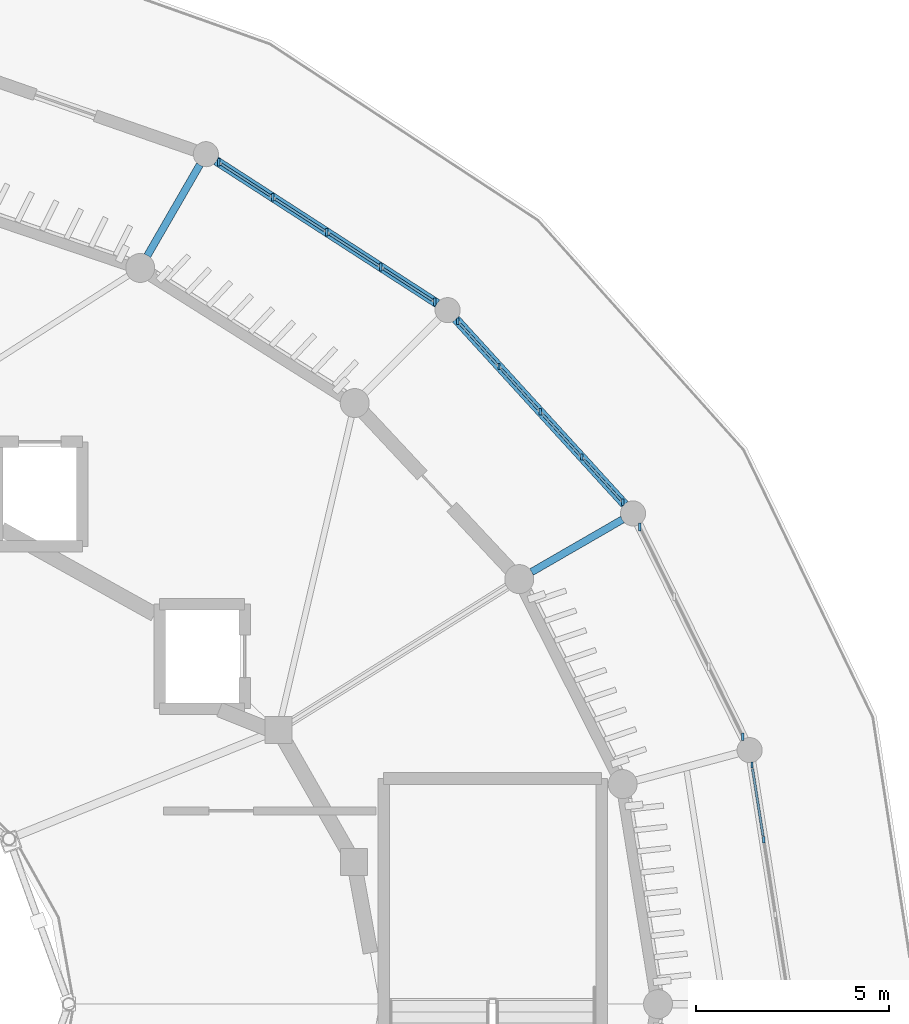
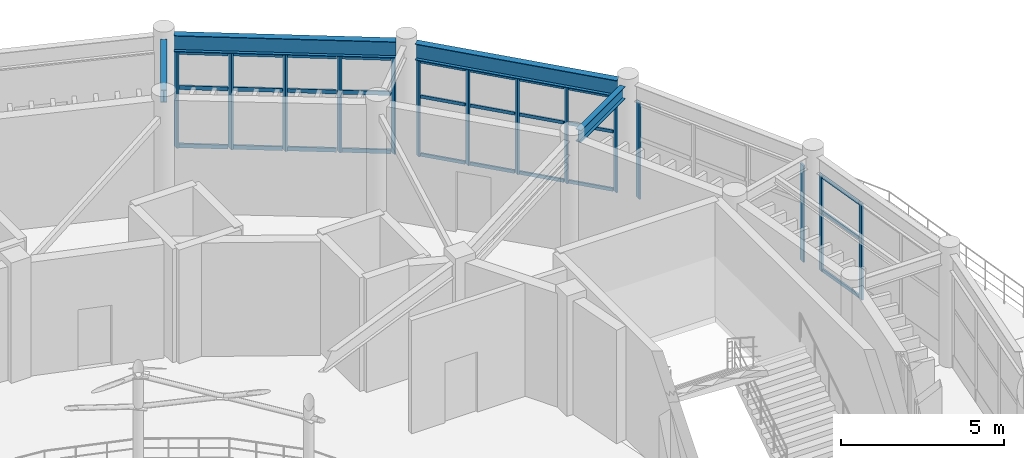
# One storey, part 17 of 45: 41 members, 4 beams, 4 elements without a shape of their own.
"""IFC4 building model written with IfcOpenShell, lengths in metres."""

from ifc_helpers import new_model, si_unit, direction, frame, origin, origin_2d, place, context, subcontext, project, spatial, rectangle, i_section, extrude, material, material_profile, profile_set, type_object, element, aggregate, save


model = new_model("IFC4")

# Units and contexts
model_context = context("Model", 3, precision=1e-05, world=origin(), true_north=direction((0.0, 1.0)))
body_context = subcontext(model_context, "Body", "Model", "MODEL_VIEW")
ifc_project = project(units=[si_unit("LENGTHUNIT", "METRE"), si_unit("AREAUNIT", "SQUARE_METRE"), si_unit("VOLUMEUNIT", "CUBIC_METRE"), si_unit("PLANEANGLEUNIT", "RADIAN"), si_unit("MASSUNIT", "GRAM", prefix="KILO")], contexts=[model_context])

# Site, building, storey
site_placement = place(None, origin())
site = spatial("IfcSite", under=ifc_project, at=site_placement, CompositionType="ELEMENT")
building_placement = place(site_placement, origin())
building = spatial("IfcBuilding", under=site, at=building_placement, Name="Cinderbank Siding Concert Hall", CompositionType="ELEMENT")
storey_placement = place(building_placement, frame((0.0, 0.0, 19.199951171875)))
storey = spatial("IfcBuildingStorey", under=building, at=storey_placement, Name="L05", CompositionType="ELEMENT", Elevation=19.199951171875)

# Beams
ifc_material_1 = material(Name="Structural steel AS/NZS 3679.1 Grade 350 (340 MPa)", Category="steel")
ifc_material_profile_1 = material_profile(ifc_material_1, i_section(OverallWidth=0.19091796875, OverallDepth=0.46044921875, WebThickness=0.010009765625, FlangeThickness=0.01611328125, at=origin_2d()), Name="460UB82.1", Category="LoadBearing")
ifc_profile_set_1 = profile_set([ifc_material_profile_1], Name="Structural steel AS/NZS 3679.1 Grade 350 (340 MPa)")
beam_type_1 = type_object("IfcBeamType", Name="BM-UB460H 460UB82.1", PredefinedType="BEAM", material=ifc_profile_set_1)
for number, where, z_axis, x_axis, name in (
    (1, (145.52734375, 55.18359375, 4.001953125), (0.866032896488, 0.499987022033, 0.0), (-0.499987022033, 0.866032896488, 0.0), "L05 Beam BM-UB460H #797"),
    (2, (135.58349609375, 63.370361328125, 4.001953125), (0.499987022033, 0.866032896488, 0.0), (-0.866032896488, 0.499987022033, 0.0), "L05 Beam BM-UB460H #799"),
):
    element("IfcBeam", number, at=place(storey_placement, frame(where, z_axis=z_axis, x_axis=x_axis)), inside=storey, type_object=beam_type_1, Name=name, PredefinedType="BEAM", context=body_context, shape_type="SweptSolid", body=[
        extrude(i_section(OverallWidth=0.19091796875, OverallDepth=0.46044921875, WebThickness=0.010009765625, FlangeThickness=0.01611328125, at=origin_2d()), origin(), (0.0, 0.0, 1.0), 2.7158203125),
    ])
ifc_material_profile_2 = material_profile(ifc_material_1, i_section(OverallWidth=0.22802734375, OverallDepth=0.60693359375, WebThickness=0.01123046875, FlangeThickness=0.017333984375, at=origin_2d()), Name="610UB113", Category="LoadBearing")
ifc_profile_set_2 = profile_set([ifc_material_profile_2], Name="Structural steel AS/NZS 3679.1 Grade 350 (340 MPa)")
beam_type_2 = type_object("IfcBeamType", Name="BM-UB610M 610UB113", PredefinedType="BEAM", material=ifc_profile_set_2)
beam_1_placement = place(storey_placement, frame((147.940185546875, 56.93408203125, 3.928466796875), z_axis=(-0.67395874418, 0.73876898361, 0.0), x_axis=(-0.73876898361, -0.67395874418, 0.0)))
element("IfcBeam", 3, at=beam_1_placement, inside=storey, type_object=beam_type_2, Name="L05 Beam BM-UB610M #761", PredefinedType="BEAM", context=body_context, shape_type="SweptSolid", body=[
    extrude(i_section(OverallWidth=0.22802734375, OverallDepth=0.60693359375, WebThickness=0.01123046875, FlangeThickness=0.017333984375, at=origin_2d()), origin(), (0.0, 0.0, 1.0), 6.48681640625),
])
beam_2_placement = place(storey_placement, frame((143.08837890625, 62.13232421875, 3.928466796875), z_axis=(-0.840219727246, 0.542246078775, 0.0), x_axis=(-0.542246078775, -0.840219727246, 0.0)))
element("IfcBeam", 4, at=beam_2_placement, inside=storey, type_object=beam_type_2, Name="L05 Beam BM-UB610M #762", PredefinedType="BEAM", context=body_context, shape_type="SweptSolid", body=[
    extrude(i_section(OverallWidth=0.22802734375, OverallDepth=0.60693359375, WebThickness=0.01123046875, FlangeThickness=0.017333984375, at=origin_2d()), origin(), (0.0, 0.0, 1.0), 6.810302734375),
])

# Curtain wall, members
ifc_material_2 = material(Name="Anodised aluminium alloy 6063-T6", Category="aluminium")
curtain_wall_type_1 = type_object("IfcCurtainWallType", Name="CW-09 Unitised Acoustic Curtain Wall 8000x3500", PredefinedType="NOTDEFINED", material=ifc_material_2)
curtain_wall_1_placement = place(storey_placement, origin())
curtain_wall_1 = element("IfcCurtainWall", 5, at=curtain_wall_1_placement, inside=storey, type_object=curtain_wall_type_1, Name="L05 Curtain Wall CW-09 #72", PredefinedType="NOTDEFINED")
ifc_material_profile_3 = material_profile(ifc_material_2, rectangle(XDim=0.06005859375, YDim=0.159912109375, at=origin_2d()), Name="ALU-MULL-60x160", Category="LoadBearing")
ifc_profile_set_3 = profile_set([ifc_material_profile_3], Name="Anodised aluminium alloy 6063-T6")
member_type_1 = type_object("IfcMemberType", Name="CW-ML1 Mullion 60x160", PredefinedType="MULLION", material=ifc_profile_set_3)
member_1_placement = place(storey_placement, frame((151.5341796875, 48.254150390625, 0.0), z_axis=(0.0, 0.0, 1.0), x_axis=(1.0, 0.0, 0.0)))
member_1 = element("IfcMember", 6, at=member_1_placement, type_object=member_type_1, Name="CW-L05-072 Mullion 2", PredefinedType="MULLION", context=body_context, shape_type="SweptSolid", body=[
    extrude(rectangle(XDim=0.06005859375, YDim=0.159912109375, at=origin_2d()), origin(), (0.0, 0.0, 1.0), 3.610107421875),
])
member_2_placement = place(storey_placement, frame((151.231201171875, 50.188720703125, 0.0), z_axis=(0.0, 0.0, 1.0), x_axis=(1.0, 0.0, 0.0)))
member_2 = element("IfcMember", 7, at=member_2_placement, type_object=member_type_1, Name="CW-L05-072 Mullion 3", PredefinedType="MULLION", context=body_context, shape_type="SweptSolid", body=[
    extrude(rectangle(XDim=0.06005859375, YDim=0.159912109375, at=origin_2d()), origin(), (0.0, 0.0, 1.0), 3.610107421875),
])

curtain_wall_type_2 = type_object("IfcCurtainWallType", Name="CW-11 Unitised Acoustic Curtain Wall 6600x3500", PredefinedType="NOTDEFINED", material=ifc_material_2)
curtain_wall_2_placement = place(storey_placement, origin())
curtain_wall_2 = element("IfcCurtainWall", 8, at=curtain_wall_2_placement, inside=storey, type_object=curtain_wall_type_2, Name="L05 Curtain Wall CW-11 #74", PredefinedType="NOTDEFINED")
member_3_placement = place(storey_placement, frame((147.89111328125, 56.988037109375, 0.0), z_axis=(0.0, 0.0, 1.0), x_axis=(1.0, 0.0, 0.0)))
member_3 = element("IfcMember", 9, at=member_3_placement, type_object=member_type_1, Name="CW-L05-074 Mullion 0", PredefinedType="MULLION", context=body_context, shape_type="SweptSolid", body=[
    extrude(rectangle(XDim=0.06005859375, YDim=0.159912109375, at=origin_2d()), origin(), (0.0, 0.0, 1.0), 3.610107421875),
])
member_4_placement = place(storey_placement, frame((146.82275390625, 58.1591796875, 0.0), z_axis=(0.0, 0.0, 1.0), x_axis=(1.0, 0.0, 0.0)))
member_4 = element("IfcMember", 10, at=member_4_placement, type_object=member_type_1, Name="CW-L05-074 Mullion 1", PredefinedType="MULLION", context=body_context, shape_type="SweptSolid", body=[
    extrude(rectangle(XDim=0.06005859375, YDim=0.159912109375, at=origin_2d()), origin(), (0.0, 0.0, 1.0), 3.610107421875),
])
member_5_placement = place(storey_placement, frame((145.75439453125, 59.330322265625, 0.0), z_axis=(0.0, 0.0, 1.0), x_axis=(1.0, 0.0, 0.0)))
member_5 = element("IfcMember", 11, at=member_5_placement, type_object=member_type_1, Name="CW-L05-074 Mullion 2", PredefinedType="MULLION", context=body_context, shape_type="SweptSolid", body=[
    extrude(rectangle(XDim=0.06005859375, YDim=0.159912109375, at=origin_2d()), origin(), (0.0, 0.0, 1.0), 3.610107421875),
])
member_6_placement = place(storey_placement, frame((144.685791015625, 60.501220703125, 0.0), z_axis=(0.0, 0.0, 1.0), x_axis=(1.0, 0.0, 0.0)))
member_6 = element("IfcMember", 12, at=member_6_placement, type_object=member_type_1, Name="CW-L05-074 Mullion 3", PredefinedType="MULLION", context=body_context, shape_type="SweptSolid", body=[
    extrude(rectangle(XDim=0.06005859375, YDim=0.159912109375, at=origin_2d()), origin(), (0.0, 0.0, 1.0), 3.610107421875),
])
member_7_placement = place(storey_placement, frame((143.617431640625, 61.67236328125, 0.0), z_axis=(0.0, 0.0, 1.0), x_axis=(1.0, 0.0, 0.0)))
member_7 = element("IfcMember", 13, at=member_7_placement, type_object=member_type_1, Name="CW-L05-074 Mullion 4", PredefinedType="MULLION", context=body_context, shape_type="SweptSolid", body=[
    extrude(rectangle(XDim=0.06005859375, YDim=0.159912109375, at=origin_2d()), origin(), (0.0, 0.0, 1.0), 3.610107421875),
])

curtain_wall_type_3 = type_object("IfcCurtainWallType", Name="CW-10 Unitised Acoustic Curtain Wall 7200x3500", PredefinedType="NOTDEFINED", material=ifc_material_2)
curtain_wall_3_placement = place(storey_placement, origin())
curtain_wall_3 = element("IfcCurtainWall", 14, at=curtain_wall_3_placement, inside=storey, type_object=curtain_wall_type_3, Name="L05 Curtain Wall CW-10 #73", PredefinedType="NOTDEFINED")
ifc_material_profile_4 = material_profile(ifc_material_2, rectangle(XDim=0.06494140625, YDim=0.199951171875, at=origin_2d()), Name="ALU-MULL-65x200", Category="LoadBearing")
ifc_profile_set_4 = profile_set([ifc_material_profile_4], Name="Anodised aluminium alloy 6063-T6")
member_type_2 = type_object("IfcMemberType", Name="CW-ML2 Mullion 65x200", PredefinedType="MULLION", material=ifc_profile_set_4)
member_8_placement = place(storey_placement, frame((150.998779296875, 50.923828125, 0.0), z_axis=(0.0, 0.0, 1.0), x_axis=(1.0, 0.0, 0.0)))
member_8 = element("IfcMember", 15, at=member_8_placement, type_object=member_type_2, Name="CW-L05-073 Mullion 0", PredefinedType="MULLION", context=body_context, shape_type="SweptSolid", body=[
    extrude(rectangle(XDim=0.06494140625, YDim=0.199951171875, at=origin_2d()), origin(), (0.0, 0.0, 1.0), 3.610107421875),
])
member_9_placement = place(storey_placement, frame((148.326416015625, 56.35009765625, 0.0), z_axis=(0.0, 0.0, 1.0), x_axis=(1.0, 0.0, 0.0)))
member_9 = element("IfcMember", 16, at=member_9_placement, type_object=member_type_2, Name="CW-L05-073 Mullion 3", PredefinedType="MULLION", context=body_context, shape_type="SweptSolid", body=[
    extrude(rectangle(XDim=0.06494140625, YDim=0.199951171875, at=origin_2d()), origin(), (0.0, 0.0, 1.0), 3.610107421875),
])
aggregate(curtain_wall_3, [member_8, member_9])

curtain_wall_type_4 = type_object("IfcCurtainWallType", Name="CW-12 Unitised Acoustic Curtain Wall 5800x3500", PredefinedType="NOTDEFINED", material=ifc_material_2)
curtain_wall_4_placement = place(storey_placement, origin())
curtain_wall_4 = element("IfcCurtainWall", 17, at=curtain_wall_4_placement, inside=storey, type_object=curtain_wall_type_4, Name="L05 Curtain Wall CW-12 #75", PredefinedType="NOTDEFINED")
member_10_placement = place(storey_placement, frame((143.02685546875, 62.172119140625, 0.0), z_axis=(0.0, 0.0, 1.0), x_axis=(1.0, 0.0, 0.0)))
member_10 = element("IfcMember", 18, at=member_10_placement, type_object=member_type_2, Name="CW-L05-075 Mullion 0", PredefinedType="MULLION", context=body_context, shape_type="SweptSolid", body=[
    extrude(rectangle(XDim=0.06494140625, YDim=0.199951171875, at=origin_2d()), origin(), (0.0, 0.0, 1.0), 3.610107421875),
])
member_11_placement = place(storey_placement, frame((141.627197265625, 63.075439453125, 0.0), z_axis=(0.0, 0.0, 1.0), x_axis=(1.0, 0.0, 0.0)))
member_11 = element("IfcMember", 19, at=member_11_placement, type_object=member_type_2, Name="CW-L05-075 Mullion 1", PredefinedType="MULLION", context=body_context, shape_type="SweptSolid", body=[
    extrude(rectangle(XDim=0.06494140625, YDim=0.199951171875, at=origin_2d()), origin(), (0.0, 0.0, 1.0), 3.610107421875),
])
member_12_placement = place(storey_placement, frame((140.227294921875, 63.978759765625, 0.0), z_axis=(0.0, 0.0, 1.0), x_axis=(1.0, 0.0, 0.0)))
member_12 = element("IfcMember", 20, at=member_12_placement, type_object=member_type_2, Name="CW-L05-075 Mullion 2", PredefinedType="MULLION", context=body_context, shape_type="SweptSolid", body=[
    extrude(rectangle(XDim=0.06494140625, YDim=0.199951171875, at=origin_2d()), origin(), (0.0, 0.0, 1.0), 3.610107421875),
])
member_13_placement = place(storey_placement, frame((138.827392578125, 64.882080078125, 0.0), z_axis=(0.0, 0.0, 1.0), x_axis=(1.0, 0.0, 0.0)))
member_13 = element("IfcMember", 21, at=member_13_placement, type_object=member_type_2, Name="CW-L05-075 Mullion 3", PredefinedType="MULLION", context=body_context, shape_type="SweptSolid", body=[
    extrude(rectangle(XDim=0.06494140625, YDim=0.199951171875, at=origin_2d()), origin(), (0.0, 0.0, 1.0), 3.610107421875),
])
member_14_placement = place(storey_placement, frame((137.427734375, 65.785400390625, 0.0), z_axis=(0.0, 0.0, 1.0), x_axis=(1.0, 0.0, 0.0)))
member_14 = element("IfcMember", 22, at=member_14_placement, type_object=member_type_2, Name="CW-L05-075 Mullion 4", PredefinedType="MULLION", context=body_context, shape_type="SweptSolid", body=[
    extrude(rectangle(XDim=0.06494140625, YDim=0.199951171875, at=origin_2d()), origin(), (0.0, 0.0, 1.0), 3.610107421875),
])

# Member
ifc_material_profile_5 = material_profile(ifc_material_2, rectangle(XDim=0.06005859375, YDim=0.1201171875, at=origin_2d()), Name="ALU-TRAN-60x120", Category="LoadBearing")
ifc_profile_set_5 = profile_set([ifc_material_profile_5], Name="Anodised aluminium alloy 6063-T6")
member_type_3 = type_object("IfcMemberType", Name="CW-TR1 Transom 60x120", PredefinedType="USERDEFINED", material=ifc_profile_set_5)
member_15_placement = place(storey_placement, frame((151.51904296875, 48.35107421875, 0.06005859375), z_axis=(-0.154617780003, 0.987974363082, 0.0), x_axis=(-0.987974363082, -0.154617780003, 0.0)))
member_15 = element("IfcMember", 23, at=member_15_placement, type_object=member_type_3, Name="CW-L05-072 Transom 2-0", ObjectType="TRANSOM", PredefinedType="USERDEFINED", context=body_context, shape_type="SweptSolid", body=[
    extrude(rectangle(XDim=0.06005859375, YDim=0.1201171875, at=origin_2d()), origin(), (0.0, 0.0, 1.0), 1.76220703125),
])

member_16_placement = place(storey_placement, frame((151.51904296875, 48.35107421875, 2.23828125), z_axis=(-0.154617780003, 0.987974363082, 0.0), x_axis=(-0.987974363082, -0.154617780003, 0.0)))
member_16 = element("IfcMember", 24, at=member_16_placement, type_object=member_type_3, Name="CW-L05-072 Transom 2-1", ObjectType="TRANSOM", PredefinedType="USERDEFINED", context=body_context, shape_type="SweptSolid", body=[
    extrude(rectangle(XDim=0.06005859375, YDim=0.1201171875, at=origin_2d()), origin(), (0.0, 0.0, 1.0), 1.76220703125),
])

member_17_placement = place(storey_placement, frame((151.51904296875, 48.35107421875, 3.550048828125), z_axis=(-0.154617780003, 0.987974363082, 0.0), x_axis=(-0.987974363082, -0.154617780003, 0.0)))
member_17 = element("IfcMember", 25, at=member_17_placement, type_object=member_type_3, Name="CW-L05-072 Transom 2-2", ObjectType="TRANSOM", PredefinedType="USERDEFINED", context=body_context, shape_type="SweptSolid", body=[
    extrude(rectangle(XDim=0.06005859375, YDim=0.1201171875, at=origin_2d()), origin(), (0.0, 0.0, 1.0), 1.76220703125),
])

aggregate(curtain_wall_1, [member_1, member_2, member_15, member_16, member_17])

member_18_placement = place(storey_placement, frame((147.837646484375, 57.046630859375, 0.06005859375), z_axis=(-0.67393249173, 0.738792932147, 0.0), x_axis=(-0.738792932147, -0.67393249173, 0.0)))
member_18 = element("IfcMember", 26, at=member_18_placement, type_object=member_type_3, Name="CW-L05-074 Transom 0-0", ObjectType="TRANSOM", PredefinedType="USERDEFINED", context=body_context, shape_type="SweptSolid", body=[
    extrude(rectangle(XDim=0.06005859375, YDim=0.1201171875, at=origin_2d()), origin(), (0.0, 0.0, 1.0), 1.426513671875),
])

member_19_placement = place(storey_placement, frame((147.837646484375, 57.046630859375, 2.23828125), z_axis=(-0.67393249173, 0.738792932147, 0.0), x_axis=(-0.738792932147, -0.67393249173, 0.0)))
member_19 = element("IfcMember", 27, at=member_19_placement, type_object=member_type_3, Name="CW-L05-074 Transom 0-1", ObjectType="TRANSOM", PredefinedType="USERDEFINED", context=body_context, shape_type="SweptSolid", body=[
    extrude(rectangle(XDim=0.06005859375, YDim=0.1201171875, at=origin_2d()), origin(), (0.0, 0.0, 1.0), 1.426513671875),
])

member_20_placement = place(storey_placement, frame((147.837646484375, 57.046630859375, 3.550048828125), z_axis=(-0.67393249173, 0.738792932147, 0.0), x_axis=(-0.738792932147, -0.67393249173, 0.0)))
member_20 = element("IfcMember", 28, at=member_20_placement, type_object=member_type_3, Name="CW-L05-074 Transom 0-2", ObjectType="TRANSOM", PredefinedType="USERDEFINED", context=body_context, shape_type="SweptSolid", body=[
    extrude(rectangle(XDim=0.06005859375, YDim=0.1201171875, at=origin_2d()), origin(), (0.0, 0.0, 1.0), 1.426513671875),
])

member_21_placement = place(storey_placement, frame((146.769287109375, 58.2177734375, 0.06005859375), z_axis=(-0.674025884018, 0.738707728181, 0.0), x_axis=(-0.738707728181, -0.674025884018, 0.0)))
member_21 = element("IfcMember", 29, at=member_21_placement, type_object=member_type_3, Name="CW-L05-074 Transom 1-0", ObjectType="TRANSOM", PredefinedType="USERDEFINED", context=body_context, shape_type="SweptSolid", body=[
    extrude(rectangle(XDim=0.06005859375, YDim=0.1201171875, at=origin_2d()), origin(), (0.0, 0.0, 1.0), 1.4267578125),
])

member_22_placement = place(storey_placement, frame((146.769287109375, 58.2177734375, 2.23828125), z_axis=(-0.674025884018, 0.738707728181, 0.0), x_axis=(-0.738707728181, -0.674025884018, 0.0)))
member_22 = element("IfcMember", 30, at=member_22_placement, type_object=member_type_3, Name="CW-L05-074 Transom 1-1", ObjectType="TRANSOM", PredefinedType="USERDEFINED", context=body_context, shape_type="SweptSolid", body=[
    extrude(rectangle(XDim=0.06005859375, YDim=0.1201171875, at=origin_2d()), origin(), (0.0, 0.0, 1.0), 1.4267578125),
])

member_23_placement = place(storey_placement, frame((146.769287109375, 58.2177734375, 3.550048828125), z_axis=(-0.674025884018, 0.738707728181, 0.0), x_axis=(-0.738707728181, -0.674025884018, 0.0)))
member_23 = element("IfcMember", 31, at=member_23_placement, type_object=member_type_3, Name="CW-L05-074 Transom 1-2", ObjectType="TRANSOM", PredefinedType="USERDEFINED", context=body_context, shape_type="SweptSolid", body=[
    extrude(rectangle(XDim=0.06005859375, YDim=0.1201171875, at=origin_2d()), origin(), (0.0, 0.0, 1.0), 1.4267578125),
])

member_24_placement = place(storey_placement, frame((145.700927734375, 59.388916015625, 0.06005859375), z_axis=(-0.674025884018, 0.738707728181, 0.0), x_axis=(-0.738707728181, -0.674025884018, 0.0)))
member_24 = element("IfcMember", 32, at=member_24_placement, type_object=member_type_3, Name="CW-L05-074 Transom 2-0", ObjectType="TRANSOM", PredefinedType="USERDEFINED", context=body_context, shape_type="SweptSolid", body=[
    extrude(rectangle(XDim=0.06005859375, YDim=0.1201171875, at=origin_2d()), origin(), (0.0, 0.0, 1.0), 1.4267578125),
])

member_25_placement = place(storey_placement, frame((145.700927734375, 59.388916015625, 2.23828125), z_axis=(-0.674025884018, 0.738707728181, 0.0), x_axis=(-0.738707728181, -0.674025884018, 0.0)))
member_25 = element("IfcMember", 33, at=member_25_placement, type_object=member_type_3, Name="CW-L05-074 Transom 2-1", ObjectType="TRANSOM", PredefinedType="USERDEFINED", context=body_context, shape_type="SweptSolid", body=[
    extrude(rectangle(XDim=0.06005859375, YDim=0.1201171875, at=origin_2d()), origin(), (0.0, 0.0, 1.0), 1.4267578125),
])

member_26_placement = place(storey_placement, frame((145.700927734375, 59.388916015625, 3.550048828125), z_axis=(-0.674025884018, 0.738707728181, 0.0), x_axis=(-0.738707728181, -0.674025884018, 0.0)))
member_26 = element("IfcMember", 34, at=member_26_placement, type_object=member_type_3, Name="CW-L05-074 Transom 2-2", ObjectType="TRANSOM", PredefinedType="USERDEFINED", context=body_context, shape_type="SweptSolid", body=[
    extrude(rectangle(XDim=0.06005859375, YDim=0.1201171875, at=origin_2d()), origin(), (0.0, 0.0, 1.0), 1.4267578125),
])

member_27_placement = place(storey_placement, frame((144.632568359375, 60.559814453125, 0.06005859375), z_axis=(-0.674025884018, 0.738707728181, 0.0), x_axis=(-0.738707728181, -0.674025884018, 0.0)))
member_27 = element("IfcMember", 35, at=member_27_placement, type_object=member_type_3, Name="CW-L05-074 Transom 3-0", ObjectType="TRANSOM", PredefinedType="USERDEFINED", context=body_context, shape_type="SweptSolid", body=[
    extrude(rectangle(XDim=0.06005859375, YDim=0.1201171875, at=origin_2d()), origin(), (0.0, 0.0, 1.0), 1.4267578125),
])

member_28_placement = place(storey_placement, frame((144.632568359375, 60.559814453125, 2.23828125), z_axis=(-0.674025884018, 0.738707728181, 0.0), x_axis=(-0.738707728181, -0.674025884018, 0.0)))
member_28 = element("IfcMember", 36, at=member_28_placement, type_object=member_type_3, Name="CW-L05-074 Transom 3-1", ObjectType="TRANSOM", PredefinedType="USERDEFINED", context=body_context, shape_type="SweptSolid", body=[
    extrude(rectangle(XDim=0.06005859375, YDim=0.1201171875, at=origin_2d()), origin(), (0.0, 0.0, 1.0), 1.4267578125),
])

member_29_placement = place(storey_placement, frame((144.632568359375, 60.559814453125, 3.550048828125), z_axis=(-0.674025884018, 0.738707728181, 0.0), x_axis=(-0.738707728181, -0.674025884018, 0.0)))
member_29 = element("IfcMember", 37, at=member_29_placement, type_object=member_type_3, Name="CW-L05-074 Transom 3-2", ObjectType="TRANSOM", PredefinedType="USERDEFINED", context=body_context, shape_type="SweptSolid", body=[
    extrude(rectangle(XDim=0.06005859375, YDim=0.1201171875, at=origin_2d()), origin(), (0.0, 0.0, 1.0), 1.4267578125),
])

aggregate(curtain_wall_2, [member_3, member_4, member_5, member_6, member_7, member_18, member_19, member_20, member_21, member_22, member_23, member_24, member_25, member_26, member_27, member_28, member_29])

ifc_material_profile_6 = material_profile(ifc_material_2, rectangle(XDim=0.06494140625, YDim=0.14990234375, at=origin_2d()), Name="ALU-TRAN-65x150", Category="LoadBearing")
ifc_profile_set_6 = profile_set([ifc_material_profile_6], Name="Anodised aluminium alloy 6063-T6")
member_type_4 = type_object("IfcMemberType", Name="CW-TR2 Transom 65x150", PredefinedType="USERDEFINED", material=ifc_profile_set_6)
member_30_placement = place(storey_placement, frame((142.956787109375, 62.217041015625, 0.06005859375), z_axis=(-0.840150666065, 0.542353075322, 0.0), x_axis=(-0.542353075322, -0.840150666065, 0.0)))
member_30 = element("IfcMember", 38, at=member_30_placement, type_object=member_type_4, Name="CW-L05-075 Transom 0-0", ObjectType="TRANSOM", PredefinedType="USERDEFINED", context=body_context, shape_type="SweptSolid", body=[
    extrude(rectangle(XDim=0.06494140625, YDim=0.14990234375, at=origin_2d()), origin(), (0.0, 0.0, 1.0), 1.49951171875),
])

member_31_placement = place(storey_placement, frame((142.956787109375, 62.217041015625, 2.23828125), z_axis=(-0.840150666065, 0.542353075322, 0.0), x_axis=(-0.542353075322, -0.840150666065, 0.0)))
member_31 = element("IfcMember", 39, at=member_31_placement, type_object=member_type_4, Name="CW-L05-075 Transom 0-1", ObjectType="TRANSOM", PredefinedType="USERDEFINED", context=body_context, shape_type="SweptSolid", body=[
    extrude(rectangle(XDim=0.06494140625, YDim=0.14990234375, at=origin_2d()), origin(), (0.0, 0.0, 1.0), 1.49951171875),
])

member_32_placement = place(storey_placement, frame((142.956787109375, 62.217041015625, 3.550048828125), z_axis=(-0.840150666065, 0.542353075322, 0.0), x_axis=(-0.542353075322, -0.840150666065, 0.0)))
member_32 = element("IfcMember", 40, at=member_32_placement, type_object=member_type_4, Name="CW-L05-075 Transom 0-2", ObjectType="TRANSOM", PredefinedType="USERDEFINED", context=body_context, shape_type="SweptSolid", body=[
    extrude(rectangle(XDim=0.06494140625, YDim=0.14990234375, at=origin_2d()), origin(), (0.0, 0.0, 1.0), 1.49951171875),
])

member_33_placement = place(storey_placement, frame((141.55712890625, 63.12060546875, 0.06005859375), z_axis=(-0.840224854991, 0.542238133163, 0.0), x_axis=(-0.542238133163, -0.840224854991, 0.0)))
member_33 = element("IfcMember", 41, at=member_33_placement, type_object=member_type_4, Name="CW-L05-075 Transom 1-0", ObjectType="TRANSOM", PredefinedType="USERDEFINED", context=body_context, shape_type="SweptSolid", body=[
    extrude(rectangle(XDim=0.06494140625, YDim=0.14990234375, at=origin_2d()), origin(), (0.0, 0.0, 1.0), 1.499267578125),
])

member_34_placement = place(storey_placement, frame((141.55712890625, 63.12060546875, 2.23828125), z_axis=(-0.840224854991, 0.542238133163, 0.0), x_axis=(-0.542238133163, -0.840224854991, 0.0)))
member_34 = element("IfcMember", 42, at=member_34_placement, type_object=member_type_4, Name="CW-L05-075 Transom 1-1", ObjectType="TRANSOM", PredefinedType="USERDEFINED", context=body_context, shape_type="SweptSolid", body=[
    extrude(rectangle(XDim=0.06494140625, YDim=0.14990234375, at=origin_2d()), origin(), (0.0, 0.0, 1.0), 1.499267578125),
])

member_35_placement = place(storey_placement, frame((141.55712890625, 63.12060546875, 3.550048828125), z_axis=(-0.840224854991, 0.542238133163, 0.0), x_axis=(-0.542238133163, -0.840224854991, 0.0)))
member_35 = element("IfcMember", 43, at=member_35_placement, type_object=member_type_4, Name="CW-L05-075 Transom 1-2", ObjectType="TRANSOM", PredefinedType="USERDEFINED", context=body_context, shape_type="SweptSolid", body=[
    extrude(rectangle(XDim=0.06494140625, YDim=0.14990234375, at=origin_2d()), origin(), (0.0, 0.0, 1.0), 1.499267578125),
])

member_36_placement = place(storey_placement, frame((140.1572265625, 64.02392578125, 0.06005859375), z_axis=(-0.840224854991, 0.542238133163, 0.0), x_axis=(-0.542238133163, -0.840224854991, 0.0)))
member_36 = element("IfcMember", 44, at=member_36_placement, type_object=member_type_4, Name="CW-L05-075 Transom 2-0", ObjectType="TRANSOM", PredefinedType="USERDEFINED", context=body_context, shape_type="SweptSolid", body=[
    extrude(rectangle(XDim=0.06494140625, YDim=0.14990234375, at=origin_2d()), origin(), (0.0, 0.0, 1.0), 1.499267578125),
])

member_37_placement = place(storey_placement, frame((140.1572265625, 64.02392578125, 2.23828125), z_axis=(-0.840224854991, 0.542238133163, 0.0), x_axis=(-0.542238133163, -0.840224854991, 0.0)))
member_37 = element("IfcMember", 45, at=member_37_placement, type_object=member_type_4, Name="CW-L05-075 Transom 2-1", ObjectType="TRANSOM", PredefinedType="USERDEFINED", context=body_context, shape_type="SweptSolid", body=[
    extrude(rectangle(XDim=0.06494140625, YDim=0.14990234375, at=origin_2d()), origin(), (0.0, 0.0, 1.0), 1.499267578125),
])

member_38_placement = place(storey_placement, frame((140.1572265625, 64.02392578125, 3.550048828125), z_axis=(-0.840224854991, 0.542238133163, 0.0), x_axis=(-0.542238133163, -0.840224854991, 0.0)))
member_38 = element("IfcMember", 46, at=member_38_placement, type_object=member_type_4, Name="CW-L05-075 Transom 2-2", ObjectType="TRANSOM", PredefinedType="USERDEFINED", context=body_context, shape_type="SweptSolid", body=[
    extrude(rectangle(XDim=0.06494140625, YDim=0.14990234375, at=origin_2d()), origin(), (0.0, 0.0, 1.0), 1.499267578125),
])

member_39_placement = place(storey_placement, frame((138.757568359375, 64.92724609375, 0.06005859375), z_axis=(-0.840150666065, 0.542353075322, 0.0), x_axis=(-0.542353075322, -0.840150666065, 0.0)))
member_39 = element("IfcMember", 47, at=member_39_placement, type_object=member_type_4, Name="CW-L05-075 Transom 3-0", ObjectType="TRANSOM", PredefinedType="USERDEFINED", context=body_context, shape_type="SweptSolid", body=[
    extrude(rectangle(XDim=0.06494140625, YDim=0.14990234375, at=origin_2d()), origin(), (0.0, 0.0, 1.0), 1.49951171875),
])

member_40_placement = place(storey_placement, frame((138.757568359375, 64.92724609375, 2.23828125), z_axis=(-0.840150666065, 0.542353075322, 0.0), x_axis=(-0.542353075322, -0.840150666065, 0.0)))
member_40 = element("IfcMember", 48, at=member_40_placement, type_object=member_type_4, Name="CW-L05-075 Transom 3-1", ObjectType="TRANSOM", PredefinedType="USERDEFINED", context=body_context, shape_type="SweptSolid", body=[
    extrude(rectangle(XDim=0.06494140625, YDim=0.14990234375, at=origin_2d()), origin(), (0.0, 0.0, 1.0), 1.49951171875),
])

member_41_placement = place(storey_placement, frame((138.757568359375, 64.92724609375, 3.550048828125), z_axis=(-0.840150666065, 0.542353075322, 0.0), x_axis=(-0.542353075322, -0.840150666065, 0.0)))
member_41 = element("IfcMember", 49, at=member_41_placement, type_object=member_type_4, Name="CW-L05-075 Transom 3-2", ObjectType="TRANSOM", PredefinedType="USERDEFINED", context=body_context, shape_type="SweptSolid", body=[
    extrude(rectangle(XDim=0.06494140625, YDim=0.14990234375, at=origin_2d()), origin(), (0.0, 0.0, 1.0), 1.49951171875),
])

aggregate(curtain_wall_4, [member_10, member_11, member_12, member_13, member_14, member_30, member_31, member_32, member_33, member_34, member_35, member_36, member_37, member_38, member_39, member_40, member_41])

save(model, "model.ifc")
